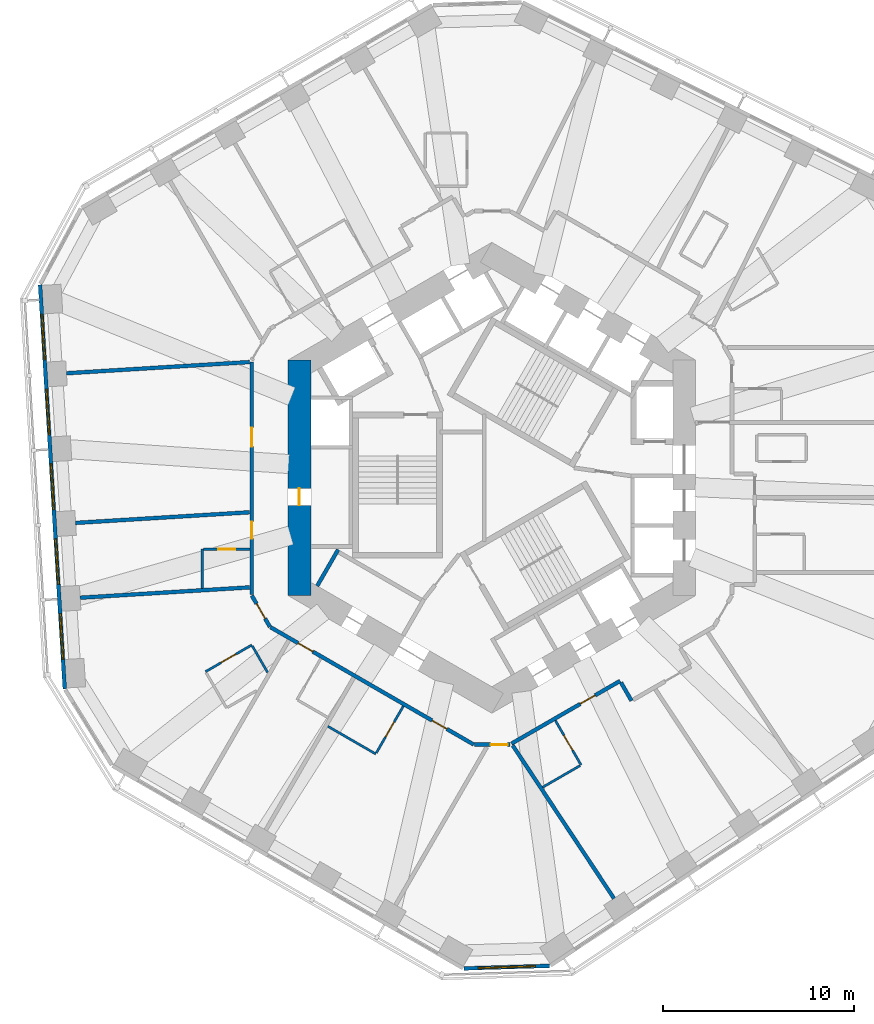
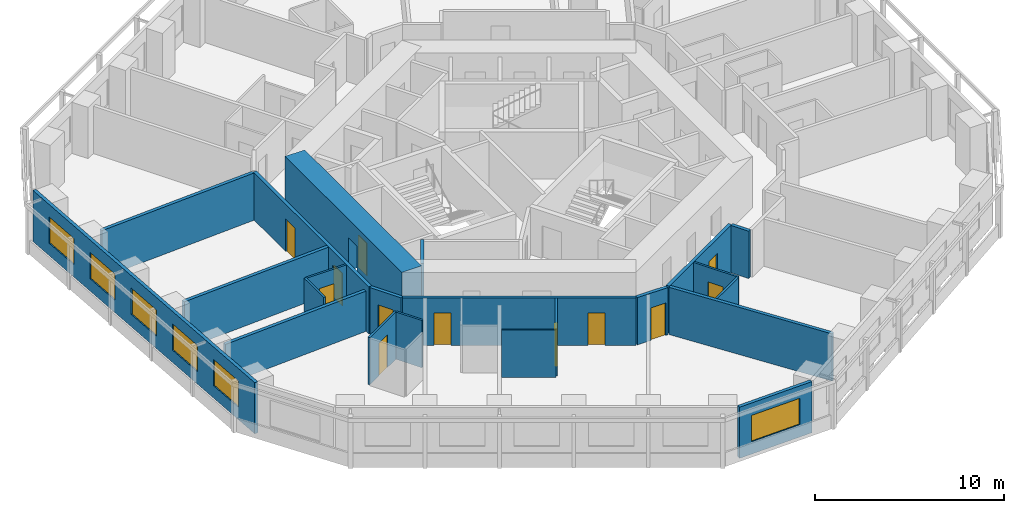
# One storey, part 4 of 12: 22 walls, 12 doors, 6 windows, 18 openings.
"""IFC4 building model written with IfcOpenShell, lengths in metres."""

from ifc_helpers import new_model, si_unit, direction, frame, frame_2d, origin, place, context, subcontext, project, spatial, rectangle, extrude, material, layer, layer_set, type_object, element, fill, save


model = new_model("IFC4")

# Units and contexts
model_context = context("Model", 3, precision=1e-05, world=origin(), true_north=direction((0.0, 1.0)))
body_context = subcontext(model_context, "Body", "Model", "MODEL_VIEW")
ifc_project = project(units=[si_unit("LENGTHUNIT", "METRE"), si_unit("AREAUNIT", "SQUARE_METRE"), si_unit("VOLUMEUNIT", "CUBIC_METRE"), si_unit("PLANEANGLEUNIT", "RADIAN"), si_unit("MASSUNIT", "GRAM", prefix="KILO")], contexts=[model_context])

# Site, building, storey
site_placement = place(None, origin())
site = spatial("IfcSite", under=ifc_project, at=site_placement, CompositionType="ELEMENT")
building_placement = place(site_placement, origin())
building = spatial("IfcBuilding", under=site, at=building_placement, Name="Vanh Sen Convention Tower", CompositionType="ELEMENT")
storey_placement = place(building_placement, frame((0.0, 0.0, 44.0)))
storey = spatial("IfcBuildingStorey", under=building, at=storey_placement, Name="L07", CompositionType="ELEMENT", Elevation=44.0)

# Wall
ifc_material_1 = material(Name="Moisture-resistant gypsum board on steel studs", Category="steel")
ifc_layer_1 = layer(ifc_material_1, 0.1201171875)
ifc_layer_set_1 = layer_set([ifc_layer_1], Name="Moisture-resistant gypsum board on steel studs")
wall_type_1 = type_object("IfcWallType", Name="Bathroom partition 120", PredefinedType="PARTITIONING", material=ifc_layer_set_1)
wall_1_placement = place(storey_placement, frame((-15.199951171875, -5.8037109375, 0.0), z_axis=(0.0, 0.0, 1.0), x_axis=(0.0, 1.0, 0.0)))
element("IfcWall", 1, at=wall_1_placement, inside=storey, type_object=wall_type_1, Name="Bathroom partition 120", PredefinedType="PARTITIONING", context=body_context, shape_type="SweptSolid", body=[
    extrude(rectangle(XDim=2.059326171875, YDim=0.1201171875, at=frame_2d((1.02978515625, 0.0))), origin(), (0.0, 0.0, 1.0), 3.050048828125),
])

# Wall, opening, door
wall_2_placement = place(storey_placement, frame((-15.139892578125, -3.744384765625, 0.0), z_axis=(0.0, 0.0, 1.0), x_axis=(1.0, 0.0, 0.0)))
wall_2 = element("IfcWall", 2, at=wall_2_placement, inside=storey, type_object=wall_type_1, Name="Bathroom partition 120", PredefinedType="PARTITIONING", context=body_context, shape_type="SweptSolid", body=[
    extrude(rectangle(XDim=2.43994140625, YDim=0.1201171875, at=frame_2d((1.219970703125, 0.0))), origin(), (0.0, 0.0, 1.0), 3.050048828125),
])
opening_1_placement = place(wall_2_placement, frame((0.77001953125, 0.0, 0.0)))
opening_1 = element("IfcOpeningElement", 3, at=opening_1_placement, cuts=wall_2, Name="Opening D07121", PredefinedType="OPENING", context=body_context, shape_type="SweptSolid", body=[
    extrude(rectangle(XDim=0.89990234375, YDim=2.10009765625, at=frame_2d((0.449951171875, 1.050048828125))), frame((0.0, 0.070068359375, 0.0), z_axis=(0.0, -1.0, 0.0), x_axis=(1.0, 0.0, 0.0)), (0.0, 0.0, 1.0), 0.14013671875),
])
ifc_material_2 = material(Name="Laminate door in steel frame", Category="steel")
door_type_1 = type_object("IfcDoorType", Name="En-suite door 900", OperationType="SINGLE_SWING_LEFT", PredefinedType="DOOR", material=ifc_material_2)
door_1_placement = place(opening_1_placement, origin())
door_1 = element("IfcDoor", 4, at=door_1_placement, inside=storey, type_object=door_type_1, Name="En-suite door D07121", OperationType="SINGLE_SWING_LEFT", OverallHeight=2.10009765625, OverallWidth=0.89990234375, PredefinedType="DOOR", context=body_context, shape_type="SweptSolid", body=[
    extrude(rectangle(XDim=0.89990234375, YDim=2.10009765625, at=frame_2d((0.449951171875, 1.050048828125))), frame((0.0, 0.02490234375, 0.0), z_axis=(0.0, -1.0, 0.0), x_axis=(1.0, 0.0, 0.0)), (0.0, 0.0, 1.0), 0.050048828125),
])
fill(opening_1, door_1)

wall_3_placement = place(storey_placement, frame((-15.025634765625, -10.17626953125, 0.0), z_axis=(0.0, 0.0, 1.0), x_axis=(0.865996816683, 0.500049511043, 0.0)))
wall_3 = element("IfcWall", 5, at=wall_3_placement, inside=storey, type_object=wall_type_1, Name="Bathroom partition 120", PredefinedType="PARTITIONING", context=body_context, shape_type="SweptSolid", body=[
    extrude(rectangle(XDim=2.800048828125, YDim=0.1201171875, at=frame_2d((1.39990234375, 0.0))), origin(), (0.0, 0.0, 1.0), 3.050048828125),
])
opening_2_placement = place(wall_3_placement, frame((0.949951171875, 0.0, 0.0)))
opening_2 = element("IfcOpeningElement", 6, at=opening_2_placement, cuts=wall_3, Name="Opening D07123", PredefinedType="OPENING", context=body_context, shape_type="SweptSolid", body=[
    extrude(rectangle(XDim=0.89990234375, YDim=2.10009765625, at=frame_2d((0.449951171875, 1.050048828125))), frame((0.0, 0.070068359375, 0.0), z_axis=(0.0, -1.0, 0.0), x_axis=(1.0, 0.0, 0.0)), (0.0, 0.0, 1.0), 0.14013671875),
])
door_2_placement = place(opening_2_placement, origin())
door_2 = element("IfcDoor", 7, at=door_2_placement, inside=storey, type_object=door_type_1, Name="En-suite door D07123", OperationType="SINGLE_SWING_LEFT", OverallHeight=2.10009765625, OverallWidth=0.89990234375, PredefinedType="DOOR", context=body_context, shape_type="SweptSolid", body=[
    extrude(rectangle(XDim=0.89990234375, YDim=2.10009765625, at=frame_2d((0.449951171875, 1.050048828125))), frame((0.0, 0.02490234375, 0.0), z_axis=(0.0, -1.0, 0.0), x_axis=(1.0, 0.0, 0.0)), (0.0, 0.0, 1.0), 0.050048828125),
])
fill(opening_2, door_2)

# Walls
wall_4_placement = place(storey_placement, frame((-12.57080078125, -8.828125, 0.0), z_axis=(0.0, 0.0, 1.0), x_axis=(0.499960029081, -0.866048479775, 0.0)))
element("IfcWall", 8, at=wall_4_placement, inside=storey, type_object=wall_type_1, Name="Bathroom partition 120", PredefinedType="PARTITIONING", context=body_context, shape_type="SweptSolid", body=[
    extrude(rectangle(XDim=1.601318359375, YDim=0.1201171875, at=frame_2d((0.80078125, 0.0))), origin(), (0.0, 0.0, 1.0), 3.050048828125),
])
wall_5_placement = place(storey_placement, frame((-6.093994140625, -14.494873046875, 0.0), z_axis=(0.0, 0.0, 1.0), x_axis=(-0.866032775405, 0.499987231761, 0.0)))
element("IfcWall", 9, at=wall_5_placement, inside=storey, type_object=wall_type_1, Name="Bathroom partition 120", PredefinedType="PARTITIONING", context=body_context, shape_type="SweptSolid", body=[
    extrude(rectangle(XDim=2.89990234375, YDim=0.1201171875, at=frame_2d((1.449951171875, 0.0))), origin(), (0.0, 0.0, 1.0), 3.050048828125),
])

# Wall, opening, door
wall_6_placement = place(storey_placement, frame((-4.64404296875, -11.9833984375, 0.0), z_axis=(0.0, 0.0, 1.0), x_axis=(-0.499985389037, -0.866033839264, 0.0)))
wall_6 = element("IfcWall", 10, at=wall_6_placement, inside=storey, type_object=wall_type_1, Name="Bathroom partition 120", PredefinedType="PARTITIONING", context=body_context, shape_type="SweptSolid", body=[
    extrude(rectangle(XDim=2.83984375, YDim=0.1201171875, at=frame_2d((1.419921875, 0.0))), origin(), (0.0, 0.0, 1.0), 3.050048828125),
])
opening_3_placement = place(wall_6_placement, frame((0.969970703125, 0.0, 0.0)))
opening_3 = element("IfcOpeningElement", 11, at=opening_3_placement, cuts=wall_6, Name="Opening D07127", PredefinedType="OPENING", context=body_context, shape_type="SweptSolid", body=[
    extrude(rectangle(XDim=0.89990234375, YDim=2.10009765625, at=frame_2d((0.449951171875, 1.050048828125))), frame((0.0, 0.070068359375, 0.0), z_axis=(0.0, -1.0, 0.0), x_axis=(1.0, 0.0, 0.0)), (0.0, 0.0, 1.0), 0.14013671875),
])
door_3_placement = place(opening_3_placement, origin())
door_3 = element("IfcDoor", 12, at=door_3_placement, inside=storey, type_object=door_type_1, Name="En-suite door D07127", OperationType="SINGLE_SWING_LEFT", OverallHeight=2.10009765625, OverallWidth=0.89990234375, PredefinedType="DOOR", context=body_context, shape_type="SweptSolid", body=[
    extrude(rectangle(XDim=0.89990234375, YDim=2.10009765625, at=frame_2d((0.449951171875, 1.050048828125))), frame((0.0, 0.02490234375, 0.0), z_axis=(0.0, -1.0, 0.0), x_axis=(1.0, 0.0, 0.0)), (0.0, 0.0, 1.0), 0.050048828125),
])
fill(opening_3, door_3)

wall_7_placement = place(storey_placement, frame((3.335205078125, -12.7392578125, 0.0), z_axis=(0.0, 0.0, 1.0), x_axis=(0.499980770555, -0.866036505625, 0.0)))
wall_7 = element("IfcWall", 13, at=wall_7_placement, inside=storey, type_object=wall_type_1, Name="Bathroom partition 120", PredefinedType="PARTITIONING", context=body_context, shape_type="SweptSolid", body=[
    extrude(rectangle(XDim=2.69970703125, YDim=0.1201171875, at=frame_2d((1.349853515625, 0.0))), origin(), (0.0, 0.0, 1.0), 3.050048828125),
])
opening_4_placement = place(wall_7_placement, frame((0.89990234375, 0.0, 0.0)))
opening_4 = element("IfcOpeningElement", 14, at=opening_4_placement, cuts=wall_7, Name="Opening D07130", PredefinedType="OPENING", context=body_context, shape_type="SweptSolid", body=[
    extrude(rectangle(XDim=0.89990234375, YDim=2.10009765625, at=frame_2d((0.449951171875, 1.050048828125))), frame((0.0, 0.070068359375, 0.0), z_axis=(0.0, -1.0, 0.0), x_axis=(1.0, 0.0, 0.0)), (0.0, 0.0, 1.0), 0.14013671875),
])
door_4_placement = place(opening_4_placement, origin())
door_4 = element("IfcDoor", 15, at=door_4_placement, inside=storey, type_object=door_type_1, Name="En-suite door D07130", OperationType="SINGLE_SWING_LEFT", OverallHeight=2.10009765625, OverallWidth=0.89990234375, PredefinedType="DOOR", context=body_context, shape_type="SweptSolid", body=[
    extrude(rectangle(XDim=0.89990234375, YDim=2.10009765625, at=frame_2d((0.449951171875, 1.050048828125))), frame((0.0, 0.02490234375, 0.0), z_axis=(0.0, -1.0, 0.0), x_axis=(1.0, 0.0, 0.0)), (0.0, 0.0, 1.0), 0.050048828125),
])
fill(opening_4, door_4)

# Wall
wall_8_placement = place(storey_placement, frame((4.633056640625, -15.107421875, 0.0), z_axis=(0.0, 0.0, 1.0), x_axis=(-0.866022496617, -0.500005035328, 0.0)))
element("IfcWall", 16, at=wall_8_placement, inside=storey, type_object=wall_type_1, Name="Bathroom partition 120", PredefinedType="PARTITIONING", context=body_context, shape_type="SweptSolid", body=[
    extrude(rectangle(XDim=2.2685546875, YDim=0.1201171875, at=frame_2d((1.13427734375, 0.0))), origin(), (0.0, 0.0, 1.0), 3.050048828125),
])

# Wall, opening, door
ifc_material_3 = material(Name="Concrete C80/95", Category="concrete")
ifc_layer_2 = layer(ifc_material_3, 1.199951171875)
ifc_layer_set_2 = layer_set([ifc_layer_2], Name="Concrete C80/95")
wall_type_2 = type_object("IfcWallType", Name="Core outer wall 1200 C80/95", PredefinedType="SHEAR", material=ifc_layer_set_2)
wall_9_placement = place(storey_placement, frame((-10.10009765625, 6.177490234375, 0.0), z_axis=(0.0, 0.0, 1.0), x_axis=(0.0, -1.0, 0.0)))
wall_9 = element("IfcWall", 17, at=wall_9_placement, inside=storey, type_object=wall_type_2, Name="Core wall face W L07", PredefinedType="SHEAR", context=body_context, shape_type="SweptSolid", body=[
    extrude(rectangle(XDim=12.35498046875, YDim=1.199951171875, at=frame_2d((6.177490234375, 0.0))), origin(), (0.0, 0.0, 1.0), 3.300048828125),
])
opening_5_placement = place(wall_9_placement, frame((6.7275390625, 0.0, 0.0)))
opening_5 = element("IfcOpeningElement", 18, at=opening_5_placement, cuts=wall_9, Name="Opening D07010", PredefinedType="OPENING", context=body_context, shape_type="SweptSolid", body=[
    extrude(rectangle(XDim=0.89990234375, YDim=2.10009765625, at=frame_2d((0.449951171875, 1.050048828125))), frame((0.0, 0.60986328125, 0.0), z_axis=(0.0, -1.0, 0.0), x_axis=(1.0, 0.0, 0.0)), (0.0, 0.0, 1.0), 1.219970703125),
])
ifc_material_4 = material(Name="Steel S355", Category="steel")
door_type_2 = type_object("IfcDoorType", Name="Plant door 900", OperationType="SINGLE_SWING_LEFT", PredefinedType="DOOR", material=ifc_material_4)
door_5_placement = place(opening_5_placement, origin())
door_5 = element("IfcDoor", 19, at=door_5_placement, inside=storey, type_object=door_type_2, Name="Plant door D07010", OperationType="SINGLE_SWING_LEFT", OverallHeight=2.10009765625, OverallWidth=0.89990234375, PredefinedType="DOOR", context=body_context, shape_type="SweptSolid", body=[
    extrude(rectangle(XDim=0.89990234375, YDim=2.10009765625, at=frame_2d((0.449951171875, 1.050048828125))), frame((0.0, 0.02490234375, 0.0), z_axis=(0.0, -1.0, 0.0), x_axis=(1.0, 0.0, 0.0)), (0.0, 0.0, 1.0), 0.050048828125),
])
fill(opening_5, door_5)

ifc_material_5 = material(Name="Gypsum board on steel studs with mineral wool", Category="steel")
ifc_layer_3 = layer(ifc_material_5, 0.199951171875)
ifc_layer_set_3 = layer_set([ifc_layer_3], Name="Gypsum board on steel studs with mineral wool")
wall_type_3 = type_object("IfcWallType", Name="Corridor partition wall 200", PredefinedType="PARTITIONING", material=ifc_layer_set_3)
wall_10_placement = place(storey_placement, frame((-12.60009765625, -6.177490234375, 0.0), z_axis=(0.0, 0.0, 1.0), x_axis=(0.500063520245, -0.865988727248, 0.0)))
wall_10 = element("IfcWall", 20, at=wall_10_placement, inside=storey, type_object=wall_type_3, Name="Corridor partition wall 200", PredefinedType="PARTITIONING", context=body_context, shape_type="SweptSolid", body=[
    extrude(rectangle(XDim=1.900146484375, YDim=0.199951171875, at=frame_2d((0.9501953125, 0.0))), origin(), (0.0, 0.0, 1.0), 3.050048828125),
])
opening_6_placement = place(wall_10_placement, frame((0.5, 0.0, 0.0)))
opening_6 = element("IfcOpeningElement", 21, at=opening_6_placement, cuts=wall_10, Name="Opening D07122", PredefinedType="OPENING", context=body_context, shape_type="SweptSolid", body=[
    extrude(rectangle(XDim=0.89990234375, YDim=2.10009765625, at=frame_2d((0.449951171875, 1.050048828125))), frame((0.0, 0.10986328125, 0.0), z_axis=(0.0, -1.0, 0.0), x_axis=(1.0, 0.0, 0.0)), (0.0, 0.0, 1.0), 0.219970703125),
])
ifc_material_6 = material(Name="Timber fire door in steel frame", Category="steel")
door_type_3 = type_object("IfcDoorType", Name="Guest room door 900", OperationType="SINGLE_SWING_LEFT", PredefinedType="DOOR", material=ifc_material_6)
door_6_placement = place(opening_6_placement, origin())
door_6 = element("IfcDoor", 22, at=door_6_placement, inside=storey, type_object=door_type_3, Name="Hotel guest room door D07122", OperationType="SINGLE_SWING_LEFT", OverallHeight=2.10009765625, OverallWidth=0.89990234375, PredefinedType="DOOR", context=body_context, shape_type="SweptSolid", body=[
    extrude(rectangle(XDim=0.89990234375, YDim=2.10009765625, at=frame_2d((0.449951171875, 1.050048828125))), frame((0.0, 0.02490234375, 0.0), z_axis=(0.0, -1.0, 0.0), x_axis=(1.0, 0.0, 0.0)), (0.0, 0.0, 1.0), 0.050048828125),
])
fill(opening_6, door_6)

# Wall, openings, doors
wall_11_placement = place(storey_placement, frame((-12.60009765625, 6.081298828125, 0.0), z_axis=(0.0, 0.0, 1.0), x_axis=(0.0, -1.0, 0.0)))
wall_11 = element("IfcWall", 23, at=wall_11_placement, inside=storey, type_object=wall_type_3, Name="Corridor partition wall 200", PredefinedType="PARTITIONING", context=body_context, shape_type="SweptSolid", body=[
    extrude(rectangle(XDim=12.218994140625, YDim=0.199951171875, at=frame_2d((6.109375, 0.0))), origin(), (0.0, 0.0, 1.0), 3.050048828125),
])
opening_7_placement = place(wall_11_placement, frame((3.44189453125, 0.0, 0.0)))
opening_7 = element("IfcOpeningElement", 24, at=opening_7_placement, cuts=wall_11, Name="Opening D07119", PredefinedType="OPENING", context=body_context, shape_type="SweptSolid", body=[
    extrude(rectangle(XDim=1.0, YDim=2.10009765625, at=frame_2d((0.5, 1.050048828125))), frame((0.0, 0.10986328125, 0.0), z_axis=(0.0, -1.0, 0.0), x_axis=(1.0, 0.0, 0.0)), (0.0, 0.0, 1.0), 0.219970703125),
])
opening_8_placement = place(wall_11_placement, frame((8.3798828125, 0.0, 0.0)))
opening_8 = element("IfcOpeningElement", 25, at=opening_8_placement, cuts=wall_11, Name="Opening D07120", PredefinedType="OPENING", context=body_context, shape_type="SweptSolid", body=[
    extrude(rectangle(XDim=0.89990234375, YDim=2.10009765625, at=frame_2d((0.449951171875, 1.050048828125))), frame((0.0, 0.10986328125, 0.0), z_axis=(0.0, -1.0, 0.0), x_axis=(1.0, 0.0, 0.0)), (0.0, 0.0, 1.0), 0.219970703125),
])
door_type_4 = type_object("IfcDoorType", Name="Floor room door 1000", OperationType="SINGLE_SWING_LEFT", PredefinedType="DOOR", material=ifc_material_6)
door_7_placement = place(opening_7_placement, origin())
door_7 = element("IfcDoor", 26, at=door_7_placement, inside=storey, type_object=door_type_4, Name="Meeting and amenity room door D07119", OperationType="SINGLE_SWING_LEFT", OverallHeight=2.10009765625, OverallWidth=1.0, PredefinedType="DOOR", context=body_context, shape_type="SweptSolid", body=[
    extrude(rectangle(XDim=1.0, YDim=2.10009765625, at=frame_2d((0.5, 1.050048828125))), frame((0.0, 0.02490234375, 0.0), z_axis=(0.0, -1.0, 0.0), x_axis=(1.0, 0.0, 0.0)), (0.0, 0.0, 1.0), 0.050048828125),
])
fill(opening_7, door_7)
door_8_placement = place(opening_8_placement, origin())
door_8 = element("IfcDoor", 27, at=door_8_placement, inside=storey, type_object=door_type_3, Name="Hotel guest room door D07120", OperationType="SINGLE_SWING_LEFT", OverallHeight=2.10009765625, OverallWidth=0.89990234375, PredefinedType="DOOR", context=body_context, shape_type="SweptSolid", body=[
    extrude(rectangle(XDim=0.89990234375, YDim=2.10009765625, at=frame_2d((0.449951171875, 1.050048828125))), frame((0.0, 0.02490234375, 0.0), z_axis=(0.0, -1.0, 0.0), x_axis=(1.0, 0.0, 0.0)), (0.0, 0.0, 1.0), 0.050048828125),
])
fill(opening_8, door_8)

wall_12_placement = place(storey_placement, frame((-11.615478515625, -7.843017578125, 0.0), z_axis=(0.0, 0.0, 1.0), x_axis=(0.866026466995, -0.499998158461, 0.0)))
wall_12 = element("IfcWall", 28, at=wall_12_placement, inside=storey, type_object=wall_type_3, Name="Corridor partition wall 200", PredefinedType="PARTITIONING", context=body_context, shape_type="SweptSolid", body=[
    extrude(rectangle(XDim=12.3154296875, YDim=0.199951171875, at=frame_2d((6.15771484375, 0.0))), origin(), (0.0, 0.0, 1.0), 3.050048828125),
])
opening_9_placement = place(wall_12_placement, frame((1.665283203125, 0.0, 0.0)))
opening_9 = element("IfcOpeningElement", 29, at=opening_9_placement, cuts=wall_12, Name="Opening D07124", PredefinedType="OPENING", context=body_context, shape_type="SweptSolid", body=[
    extrude(rectangle(XDim=0.89990234375, YDim=2.10009765625, at=frame_2d((0.449951171875, 1.050048828125))), frame((0.0, 0.10986328125, 0.0), z_axis=(0.0, -1.0, 0.0), x_axis=(1.0, 0.0, 0.0)), (0.0, 0.0, 1.0), 0.219970703125),
])
opening_10_placement = place(wall_12_placement, frame((9.78662109375, 0.0, 0.0)))
opening_10 = element("IfcOpeningElement", 30, at=opening_10_placement, cuts=wall_12, Name="Opening D07126", PredefinedType="OPENING", context=body_context, shape_type="SweptSolid", body=[
    extrude(rectangle(XDim=0.89990234375, YDim=2.10009765625, at=frame_2d((0.449951171875, 1.050048828125))), frame((0.0, 0.10986328125, 0.0), z_axis=(0.0, -1.0, 0.0), x_axis=(1.0, 0.0, 0.0)), (0.0, 0.0, 1.0), 0.219970703125),
])
door_9_placement = place(opening_9_placement, origin())
door_9 = element("IfcDoor", 31, at=door_9_placement, inside=storey, type_object=door_type_3, Name="Hotel guest room door D07124", OperationType="SINGLE_SWING_LEFT", OverallHeight=2.10009765625, OverallWidth=0.89990234375, PredefinedType="DOOR", context=body_context, shape_type="SweptSolid", body=[
    extrude(rectangle(XDim=0.89990234375, YDim=2.10009765625, at=frame_2d((0.449951171875, 1.050048828125))), frame((0.0, 0.02490234375, 0.0), z_axis=(0.0, -1.0, 0.0), x_axis=(1.0, 0.0, 0.0)), (0.0, 0.0, 1.0), 0.050048828125),
])
fill(opening_9, door_9)
door_10_placement = place(opening_10_placement, origin())
door_10 = element("IfcDoor", 32, at=door_10_placement, inside=storey, type_object=door_type_3, Name="Hotel guest room door D07126", OperationType="SINGLE_SWING_LEFT", OverallHeight=2.10009765625, OverallWidth=0.89990234375, PredefinedType="DOOR", context=body_context, shape_type="SweptSolid", body=[
    extrude(rectangle(XDim=0.89990234375, YDim=2.10009765625, at=frame_2d((0.449951171875, 1.050048828125))), frame((0.0, 0.02490234375, 0.0), z_axis=(0.0, -1.0, 0.0), x_axis=(1.0, 0.0, 0.0)), (0.0, 0.0, 1.0), 0.050048828125),
])
fill(opening_10, door_10)

# Wall, opening, door
wall_13_placement = place(storey_placement, frame((-0.909912109375, -14.000732421875, 0.0), z_axis=(0.0, 0.0, 1.0), x_axis=(1.0, 0.0, 0.0)))
wall_13 = element("IfcWall", 33, at=wall_13_placement, inside=storey, type_object=wall_type_3, Name="Corridor partition wall 200", PredefinedType="PARTITIONING", context=body_context, shape_type="SweptSolid", body=[
    extrude(rectangle(XDim=1.85986328125, YDim=0.199951171875, at=frame_2d((0.929931640625, 0.0))), origin(), (0.0, 0.0, 1.0), 3.050048828125),
])
opening_11_placement = place(wall_13_placement, frame((0.841796875, 0.0, 0.0)))
opening_11 = element("IfcOpeningElement", 34, at=opening_11_placement, cuts=wall_13, Name="Opening D07128", PredefinedType="OPENING", context=body_context, shape_type="SweptSolid", body=[
    extrude(rectangle(XDim=0.89990234375, YDim=2.10009765625, at=frame_2d((0.449951171875, 1.050048828125))), frame((0.0, 0.10986328125, 0.0), z_axis=(0.0, -1.0, 0.0), x_axis=(1.0, 0.0, 0.0)), (0.0, 0.0, 1.0), 0.219970703125),
])
door_type_5 = type_object("IfcDoorType", Name="Floor room door 900", OperationType="SINGLE_SWING_LEFT", PredefinedType="DOOR", material=ifc_material_6)
door_11_placement = place(opening_11_placement, origin())
door_11 = element("IfcDoor", 35, at=door_11_placement, inside=storey, type_object=door_type_5, Name="Meeting and amenity room door D07128", OperationType="SINGLE_SWING_LEFT", OverallHeight=2.10009765625, OverallWidth=0.89990234375, PredefinedType="DOOR", context=body_context, shape_type="SweptSolid", body=[
    extrude(rectangle(XDim=0.89990234375, YDim=2.10009765625, at=frame_2d((0.449951171875, 1.050048828125))), frame((0.0, 0.02490234375, 0.0), z_axis=(0.0, -1.0, 0.0), x_axis=(1.0, 0.0, 0.0)), (0.0, 0.0, 1.0), 0.050048828125),
])
fill(opening_11, door_11)

wall_14_placement = place(storey_placement, frame((1.033447265625, -13.95263671875, 0.0), z_axis=(0.0, 0.0, 1.0), x_axis=(0.866017531406, 0.500013635111, 0.0)))
wall_14 = element("IfcWall", 36, at=wall_14_placement, inside=storey, type_object=wall_type_3, Name="Corridor partition wall 200", PredefinedType="PARTITIONING", context=body_context, shape_type="SweptSolid", body=[
    extrude(rectangle(XDim=6.580322265625, YDim=0.199951171875, at=frame_2d((3.2900390625, 0.0))), origin(), (0.0, 0.0, 1.0), 3.050048828125),
])
opening_12_placement = place(wall_14_placement, frame((4.1650390625, 0.0, 0.0)))
opening_12 = element("IfcOpeningElement", 37, at=opening_12_placement, cuts=wall_14, Name="Opening D07129", PredefinedType="OPENING", context=body_context, shape_type="SweptSolid", body=[
    extrude(rectangle(XDim=0.89990234375, YDim=2.10009765625, at=frame_2d((0.449951171875, 1.050048828125))), frame((0.0, 0.10986328125, 0.0), z_axis=(0.0, -1.0, 0.0), x_axis=(1.0, 0.0, 0.0)), (0.0, 0.0, 1.0), 0.219970703125),
])
door_12_placement = place(opening_12_placement, origin())
door_12 = element("IfcDoor", 38, at=door_12_placement, inside=storey, type_object=door_type_3, Name="Hotel guest room door D07129", OperationType="SINGLE_SWING_LEFT", OverallHeight=2.10009765625, OverallWidth=0.89990234375, PredefinedType="DOOR", context=body_context, shape_type="SweptSolid", body=[
    extrude(rectangle(XDim=0.89990234375, YDim=2.10009765625, at=frame_2d((0.449951171875, 1.050048828125))), frame((0.0, 0.02490234375, 0.0), z_axis=(0.0, -1.0, 0.0), x_axis=(1.0, 0.0, 0.0)), (0.0, 0.0, 1.0), 0.050048828125),
])
fill(opening_12, door_12)

# Wall
wall_15_placement = place(storey_placement, frame((6.781982421875, -10.7490234375, 0.0), z_axis=(0.0, 0.0, 1.0), x_axis=(0.500074377092, -0.865982457891, 0.0)))
element("IfcWall", 39, at=wall_15_placement, inside=storey, type_object=wall_type_3, Name="Corridor partition wall 200", PredefinedType="PARTITIONING", context=body_context, shape_type="SweptSolid", body=[
    extrude(rectangle(XDim=1.100830078125, YDim=0.199951171875, at=frame_2d((0.55029296875, 0.0))), origin(), (0.0, 0.0, 1.0), 3.050048828125),
])

# Wall, openings, windows
ifc_material_7 = material(Name="Insulated lightweight infill wall")
ifc_layer_4 = layer(ifc_material_7, 0.199951171875)
ifc_layer_set_4 = layer_set([ifc_layer_4], Name="Insulated lightweight infill wall")
wall_type_4 = type_object("IfcWallType", Name="External wall 200", PredefinedType="STANDARD", material=ifc_layer_set_4)
wall_16_placement = place(storey_placement, frame((-23.712646484375, 10.130859375, 0.0), z_axis=(0.0, 0.0, 1.0), x_axis=(0.061040439785, -0.998135293791, 0.0)))
wall_16 = element("IfcWall", 40, at=wall_16_placement, inside=storey, type_object=wall_type_4, Name="External wall W L07", PredefinedType="STANDARD", context=body_context, shape_type="SweptSolid", body=[
    extrude(rectangle(XDim=21.24609375, YDim=0.199951171875, at=frame_2d((10.623046875, 0.0))), origin(), (0.0, 0.0, 1.0), 3.300048828125),
])
opening_13_placement = place(wall_16_placement, frame((1.552978515625, 0.0, 0.800048828125)))
opening_13 = element("IfcOpeningElement", 41, at=opening_13_placement, cuts=wall_16, Name="Opening WH1-W1", PredefinedType="OPENING", context=body_context, shape_type="SweptSolid", body=[
    extrude(rectangle(XDim=2.39990234375, YDim=1.699951171875, at=frame_2d((1.199951171875, 0.85009765625))), frame((0.0, 0.10986328125, 0.0), z_axis=(0.0, -1.0, 0.0), x_axis=(1.0, 0.0, 0.0)), (0.0, 0.0, 1.0), 0.219970703125),
])
opening_14_placement = place(wall_16_placement, frame((5.48779296875, 0.0, 0.800048828125)))
opening_14 = element("IfcOpeningElement", 42, at=opening_14_placement, cuts=wall_16, Name="Opening WH1-W2", PredefinedType="OPENING", context=body_context, shape_type="SweptSolid", body=[
    extrude(rectangle(XDim=2.39990234375, YDim=1.699951171875, at=frame_2d((1.199951171875, 0.85009765625))), frame((0.0, 0.10986328125, 0.0), z_axis=(0.0, -1.0, 0.0), x_axis=(1.0, 0.0, 0.0)), (0.0, 0.0, 1.0), 0.219970703125),
])
opening_15_placement = place(wall_16_placement, frame((9.42236328125, 0.0, 0.800048828125)))
opening_15 = element("IfcOpeningElement", 43, at=opening_15_placement, cuts=wall_16, Name="Opening WH1-W3", PredefinedType="OPENING", context=body_context, shape_type="SweptSolid", body=[
    extrude(rectangle(XDim=2.39990234375, YDim=1.699951171875, at=frame_2d((1.199951171875, 0.85009765625))), frame((0.0, 0.10986328125, 0.0), z_axis=(0.0, -1.0, 0.0), x_axis=(1.0, 0.0, 0.0)), (0.0, 0.0, 1.0), 0.219970703125),
])
opening_16_placement = place(wall_16_placement, frame((13.35693359375, 0.0, 0.800048828125)))
opening_16 = element("IfcOpeningElement", 44, at=opening_16_placement, cuts=wall_16, Name="Opening WH1-W4", PredefinedType="OPENING", context=body_context, shape_type="SweptSolid", body=[
    extrude(rectangle(XDim=2.39990234375, YDim=1.699951171875, at=frame_2d((1.199951171875, 0.85009765625))), frame((0.0, 0.10986328125, 0.0), z_axis=(0.0, -1.0, 0.0), x_axis=(1.0, 0.0, 0.0)), (0.0, 0.0, 1.0), 0.219970703125),
])
opening_17_placement = place(wall_16_placement, frame((17.29150390625, 0.0, 0.800048828125)))
opening_17 = element("IfcOpeningElement", 45, at=opening_17_placement, cuts=wall_16, Name="Opening WH1-W5", PredefinedType="OPENING", context=body_context, shape_type="SweptSolid", body=[
    extrude(rectangle(XDim=2.39990234375, YDim=1.699951171875, at=frame_2d((1.199951171875, 0.85009765625))), frame((0.0, 0.10986328125, 0.0), z_axis=(0.0, -1.0, 0.0), x_axis=(1.0, 0.0, 0.0)), (0.0, 0.0, 1.0), 0.219970703125),
])
ifc_material_8 = material(Name="Aluminium frame with clear low-emissivity glass", Category="aluminium")
window_type_1 = type_object("IfcWindowType", Name="Hotel window 2400 x 1700", PartitioningType="SINGLE_PANEL", PredefinedType="WINDOW", material=ifc_material_8)
window_1_placement = place(opening_13_placement, origin())
window_1 = element("IfcWindow", 46, at=window_1_placement, inside=storey, type_object=window_type_1, Name="Window WH1-W1", OverallHeight=1.699951171875, OverallWidth=2.39990234375, PartitioningType="SINGLE_PANEL", PredefinedType="WINDOW", context=body_context, shape_type="SweptSolid", body=[
    extrude(rectangle(XDim=2.39990234375, YDim=1.699951171875, at=frame_2d((1.199951171875, 0.85009765625))), frame((0.0, 0.030029296875, 0.0), z_axis=(0.0, -1.0, 0.0), x_axis=(1.0, 0.0, 0.0)), (0.0, 0.0, 1.0), 0.06005859375),
])
fill(opening_13, window_1)
window_2_placement = place(opening_14_placement, origin())
window_2 = element("IfcWindow", 47, at=window_2_placement, inside=storey, type_object=window_type_1, Name="Window WH1-W2", OverallHeight=1.699951171875, OverallWidth=2.39990234375, PartitioningType="SINGLE_PANEL", PredefinedType="WINDOW", context=body_context, shape_type="SweptSolid", body=[
    extrude(rectangle(XDim=2.39990234375, YDim=1.699951171875, at=frame_2d((1.199951171875, 0.85009765625))), frame((0.0, 0.030029296875, 0.0), z_axis=(0.0, -1.0, 0.0), x_axis=(1.0, 0.0, 0.0)), (0.0, 0.0, 1.0), 0.06005859375),
])
fill(opening_14, window_2)
window_3_placement = place(opening_15_placement, origin())
window_3 = element("IfcWindow", 48, at=window_3_placement, inside=storey, type_object=window_type_1, Name="Window WH1-W3", OverallHeight=1.699951171875, OverallWidth=2.39990234375, PartitioningType="SINGLE_PANEL", PredefinedType="WINDOW", context=body_context, shape_type="SweptSolid", body=[
    extrude(rectangle(XDim=2.39990234375, YDim=1.699951171875, at=frame_2d((1.199951171875, 0.85009765625))), frame((0.0, 0.030029296875, 0.0), z_axis=(0.0, -1.0, 0.0), x_axis=(1.0, 0.0, 0.0)), (0.0, 0.0, 1.0), 0.06005859375),
])
fill(opening_15, window_3)
window_4_placement = place(opening_16_placement, origin())
window_4 = element("IfcWindow", 49, at=window_4_placement, inside=storey, type_object=window_type_1, Name="Window WH1-W4", OverallHeight=1.699951171875, OverallWidth=2.39990234375, PartitioningType="SINGLE_PANEL", PredefinedType="WINDOW", context=body_context, shape_type="SweptSolid", body=[
    extrude(rectangle(XDim=2.39990234375, YDim=1.699951171875, at=frame_2d((1.199951171875, 0.85009765625))), frame((0.0, 0.030029296875, 0.0), z_axis=(0.0, -1.0, 0.0), x_axis=(1.0, 0.0, 0.0)), (0.0, 0.0, 1.0), 0.06005859375),
])
fill(opening_16, window_4)
window_5_placement = place(opening_17_placement, origin())
window_5 = element("IfcWindow", 50, at=window_5_placement, inside=storey, type_object=window_type_1, Name="Window WH1-W5", OverallHeight=1.699951171875, OverallWidth=2.39990234375, PartitioningType="SINGLE_PANEL", PredefinedType="WINDOW", context=body_context, shape_type="SweptSolid", body=[
    extrude(rectangle(XDim=2.39990234375, YDim=1.699951171875, at=frame_2d((1.199951171875, 0.85009765625))), frame((0.0, 0.030029296875, 0.0), z_axis=(0.0, -1.0, 0.0), x_axis=(1.0, 0.0, 0.0)), (0.0, 0.0, 1.0), 0.06005859375),
])
fill(opening_17, window_5)

# Wall, opening, window
wall_17_placement = place(storey_placement, frame((-1.461181640625, -25.7548828125, 0.0), z_axis=(0.0, 0.0, 1.0), x_axis=(0.999533823446, 0.030530898895, 0.0)))
wall_17 = element("IfcWall", 51, at=wall_17_placement, inside=storey, type_object=wall_type_4, Name="External wall CH5 L07", PredefinedType="STANDARD", context=body_context, shape_type="SweptSolid", body=[
    extrude(rectangle(XDim=4.494140625, YDim=0.199951171875, at=frame_2d((2.2470703125, 0.0))), origin(), (0.0, 0.0, 1.0), 3.300048828125),
])
opening_18_placement = place(wall_17_placement, frame((0.7470703125, 0.0, 0.800048828125)))
opening_18 = element("IfcOpeningElement", 52, at=opening_18_placement, cuts=wall_17, Name="Opening WH2-CH51", PredefinedType="OPENING", context=body_context, shape_type="SweptSolid", body=[
    extrude(rectangle(XDim=3.0, YDim=1.699951171875, at=frame_2d((1.5, 0.85009765625))), frame((0.0, 0.10986328125, 0.0), z_axis=(0.0, -1.0, 0.0), x_axis=(1.0, 0.0, 0.0)), (0.0, 0.0, 1.0), 0.219970703125),
])
window_type_2 = type_object("IfcWindowType", Name="Hotel window 3000 x 1700", PartitioningType="SINGLE_PANEL", PredefinedType="WINDOW", material=ifc_material_8)
window_6_placement = place(opening_18_placement, origin())
window_6 = element("IfcWindow", 53, at=window_6_placement, inside=storey, type_object=window_type_2, Name="Window WH2-CH51", OverallHeight=1.699951171875, OverallWidth=3.0, PartitioningType="SINGLE_PANEL", PredefinedType="WINDOW", context=body_context, shape_type="SweptSolid", body=[
    extrude(rectangle(XDim=3.0, YDim=1.699951171875, at=frame_2d((1.5, 0.85009765625))), frame((0.0, 0.030029296875, 0.0), z_axis=(0.0, -1.0, 0.0), x_axis=(1.0, 0.0, 0.0)), (0.0, 0.0, 1.0), 0.06005859375),
])
fill(opening_18, window_6)

# Walls
ifc_layer_5 = layer(ifc_material_5, 0.199951171875)
ifc_layer_set_5 = layer_set([ifc_layer_5], Name="Gypsum board on steel studs with mineral wool")
wall_type_5 = type_object("IfcWallType", Name="Hotel party wall 200", PredefinedType="PARTITIONING", material=ifc_layer_set_5)
wall_18_placement = place(storey_placement, frame((-22.32666015625, 5.486328125, 0.0), z_axis=(0.0, 0.0, 1.0), x_axis=(0.998135194863, 0.061042057435, 0.0)))
element("IfcWall", 54, at=wall_18_placement, inside=storey, type_object=wall_type_5, Name="Hotel party wall 200", PredefinedType="PARTITIONING", context=body_context, shape_type="SweptSolid", body=[
    extrude(rectangle(XDim=9.635009765625, YDim=0.199951171875, at=frame_2d((4.8173828125, 0.0))), origin(), (0.0, 0.0, 1.0), 3.050048828125),
])
wall_19_placement = place(storey_placement, frame((-21.84619140625, -2.3681640625, 0.0), z_axis=(0.0, 0.0, 1.0), x_axis=(0.998134617584, 0.061051496129, 0.0)))
element("IfcWall", 55, at=wall_19_placement, inside=storey, type_object=wall_type_5, Name="Hotel party wall 200", PredefinedType="PARTITIONING", context=body_context, shape_type="SweptSolid", body=[
    extrude(rectangle(XDim=9.153564453125, YDim=0.199951171875, at=frame_2d((4.57666015625, 0.0))), origin(), (0.0, 0.0, 1.0), 3.050048828125),
])
wall_20_placement = place(storey_placement, frame((-21.60595703125, -6.29541015625, 0.0), z_axis=(0.0, 0.0, 1.0), x_axis=(0.998134305525, 0.061056597794, 0.0)))
element("IfcWall", 56, at=wall_20_placement, inside=storey, type_object=wall_type_5, Name="Hotel party wall 200", PredefinedType="PARTITIONING", context=body_context, shape_type="SweptSolid", body=[
    extrude(rectangle(XDim=8.912841796875, YDim=0.199951171875, at=frame_2d((4.45654296875, 0.0))), origin(), (0.0, 0.0, 1.0), 2.60009765625),
])
wall_21_placement = place(storey_placement, frame((6.411865234375, -22.07861328125, 0.0), z_axis=(0.0, 0.0, 1.0), x_axis=(-0.551919507115, 0.83389739037, 0.0)))
element("IfcWall", 57, at=wall_21_placement, inside=storey, type_object=wall_type_5, Name="Hotel party wall 200", PredefinedType="PARTITIONING", context=body_context, shape_type="SweptSolid", body=[
    extrude(rectangle(XDim=9.634765625, YDim=0.199951171875, at=frame_2d((4.8173828125, 0.0))), origin(), (0.0, 0.0, 1.0), 3.050048828125),
])
ifc_material_9 = material(Name="Concrete C40/50", Category="concrete")
ifc_layer_6 = layer(ifc_material_9, 0.199951171875)
ifc_layer_set_6 = layer_set([ifc_layer_6], Name="Concrete C40/50")
wall_type_6 = type_object("IfcWallType", Name="Lift shaft wall 200", PredefinedType="PARTITIONING", material=ifc_layer_set_6)
wall_22_placement = place(storey_placement, frame((-8.066650390625, -3.77197265625, 0.0), z_axis=(0.0, 0.0, 1.0), x_axis=(-0.50002983664, -0.866008176907, 0.0)))
element("IfcWall", 58, at=wall_22_placement, inside=storey, type_object=wall_type_6, Name="Lift shaft wall L07", PredefinedType="PARTITIONING", context=body_context, shape_type="SweptSolid", body=[
    extrude(rectangle(XDim=2.199951171875, YDim=0.199951171875, at=frame_2d((1.10009765625, 0.0))), origin(), (0.0, 0.0, 1.0), 3.050048828125),
])

save(model, "model.ifc")
